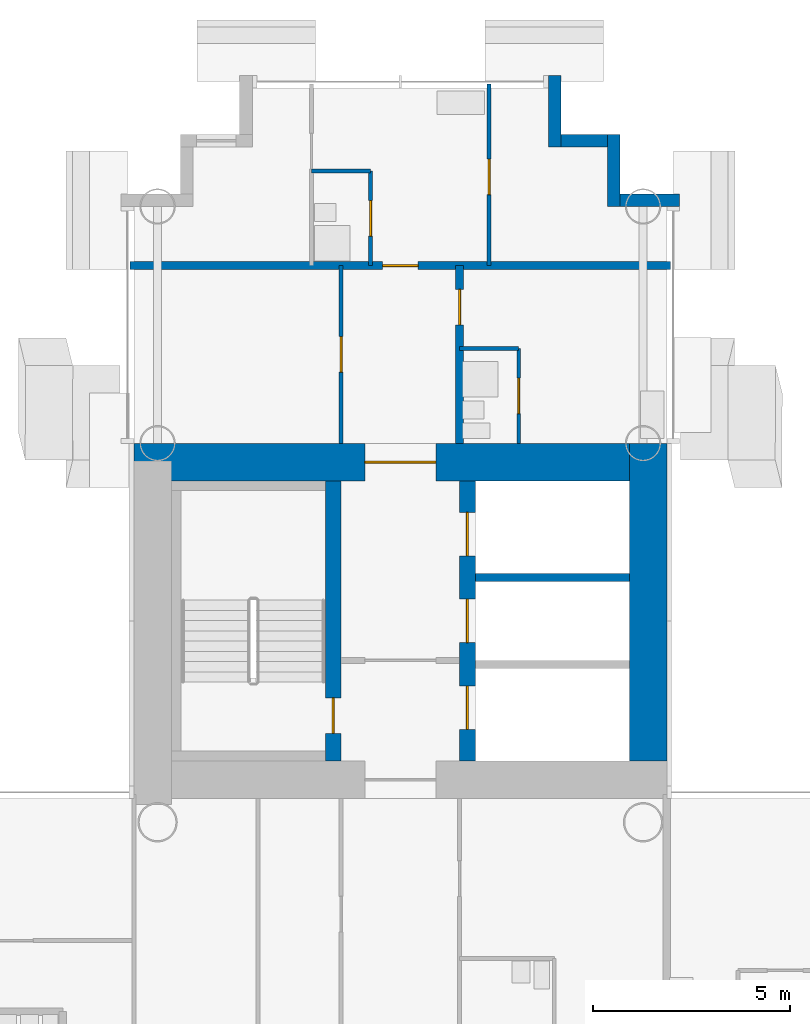
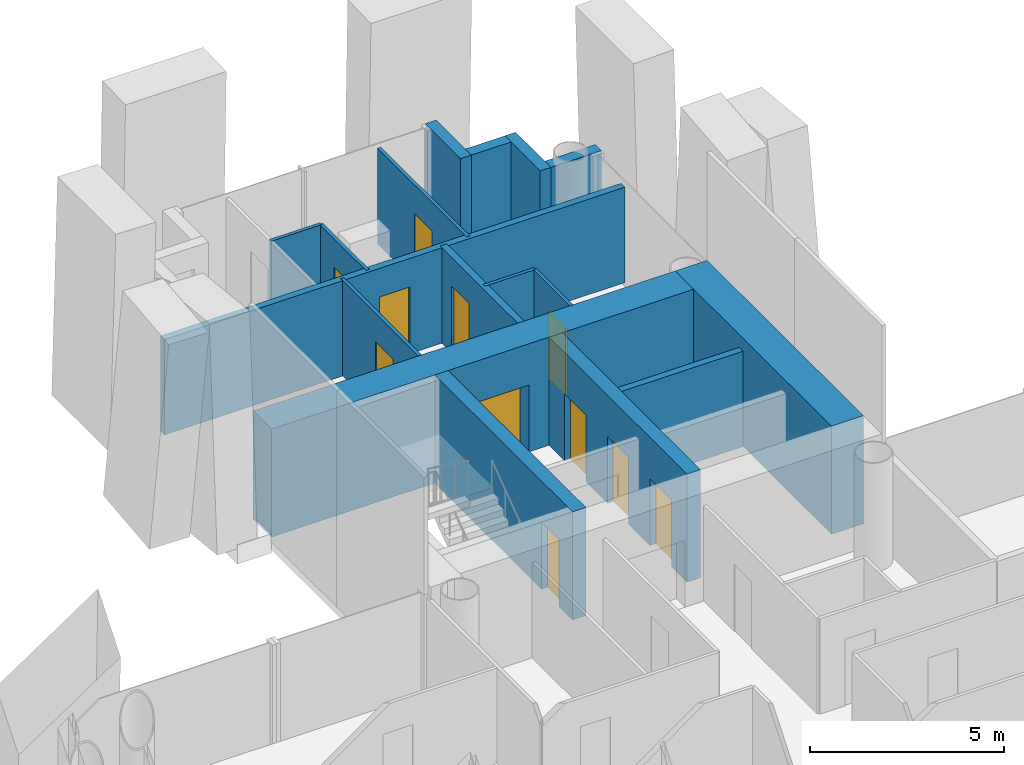
# One storey, part 14 of 21: 17 walls, 11 doors, 11 openings.
"""IFC4 building model written with IfcOpenShell, lengths in metres."""

from ifc_helpers import new_model, si_unit, direction, frame, frame_2d, origin, place, context, subcontext, project, spatial, rectangle, extrude, material, layer, layer_set, type_object, element, fill, save


model = new_model("IFC4")

# Units and contexts
model_context = context("Model", 3, precision=1e-05, world=origin(), true_north=direction((0.0, 1.0)))
body_context = subcontext(model_context, "Body", "Model", "MODEL_VIEW")
ifc_project = project(units=[si_unit("LENGTHUNIT", "METRE"), si_unit("AREAUNIT", "SQUARE_METRE"), si_unit("VOLUMEUNIT", "CUBIC_METRE"), si_unit("PLANEANGLEUNIT", "RADIAN"), si_unit("MASSUNIT", "GRAM", prefix="KILO")], contexts=[model_context])

# Site, building, storey
site_placement = place(None, origin())
site = spatial("IfcSite", under=ifc_project, at=site_placement, CompositionType="ELEMENT")
building_placement = place(site_placement, origin())
building = spatial("IfcBuilding", under=site, at=building_placement, Name="Ipe Terrace Towers", CompositionType="ELEMENT")
storey_placement = place(building_placement, frame((0.0, 0.0, 93.60009765625)))
storey = spatial("IfcBuildingStorey", under=building, at=storey_placement, Name="L25", CompositionType="ELEMENT", Elevation=93.60009765625)

# Walls
ifc_material_1 = material(Name="Concrete C40/50 with buff precast cladding", Category="concrete")
ifc_layer_1 = layer(ifc_material_1, 0.320068359375)
ifc_layer_set_1 = layer_set([ifc_layer_1], Name="BUFF CLADDING WALL 320")
wall_type_1 = type_object("IfcWallType", Name="BUFF CLADDING WALL 320", PredefinedType="STANDARD", material=ifc_layer_set_1)
wall_1_placement = place(storey_placement, frame((43.070068359375, 21.909912109375, -0.300048828125), z_axis=(0.0, 0.0, 1.0), x_axis=(-1.0, 0.0, 0.0)))
element("IfcWall", 1, at=wall_1_placement, inside=storey, type_object=wall_type_1, Name="T2-W-L25-17a wall", PredefinedType="STANDARD", context=body_context, shape_type="SweptSolid", body=[
    extrude(rectangle(XDim=1.5, YDim=0.320068359375, at=frame_2d((0.75, 0.0))), origin(), (0.0, 0.0, 1.0), 3.39990234375),
])
wall_2_placement = place(storey_placement, frame((41.409912109375, 21.75, -0.300048828125), z_axis=(0.0, 0.0, 1.0), x_axis=(0.0, 1.0, 0.0)))
element("IfcWall", 2, at=wall_2_placement, inside=storey, type_object=wall_type_1, Name="T2-W-L25-18a wall", PredefinedType="STANDARD", context=body_context, shape_type="SweptSolid", body=[
    extrude(rectangle(XDim=1.820068359375, YDim=0.320068359375, at=frame_2d((0.91015625, 0.0))), origin(), (0.0, 0.0, 1.0), 3.39990234375),
])
wall_3_placement = place(storey_placement, frame((41.25, 23.409912109375, -0.300048828125), z_axis=(0.0, 0.0, 1.0), x_axis=(-1.0, 0.0, 0.0)))
element("IfcWall", 3, at=wall_3_placement, inside=storey, type_object=wall_type_1, Name="T2-W-L25-19a wall", PredefinedType="STANDARD", context=body_context, shape_type="SweptSolid", body=[
    extrude(rectangle(XDim=1.179931640625, YDim=0.320068359375, at=frame_2d((0.58984375, 0.0))), origin(), (0.0, 0.0, 1.0), 3.39990234375),
])
wall_4_placement = place(storey_placement, frame((39.909912109375, 23.25, -0.300048828125), z_axis=(0.0, 0.0, 1.0), x_axis=(0.0, 1.0, 0.0)))
element("IfcWall", 4, at=wall_4_placement, inside=storey, type_object=wall_type_1, Name="T2-W-L25-20a wall", PredefinedType="STANDARD", context=body_context, shape_type="SweptSolid", body=[
    extrude(rectangle(XDim=1.820068359375, YDim=0.320068359375, at=frame_2d((0.91015625, 0.0))), origin(), (0.0, 0.0, 1.0), 3.39990234375),
])
ifc_material_2 = material(Name="Gypsum board partition", Category="plasterboard")
ifc_layer_2 = layer(ifc_material_2, 0.10009765625)
ifc_layer_set_2 = layer_set([ifc_layer_2], Name="Gypsum board partition 100 mm")
wall_type_2 = type_object("IfcWallType", Name="Gypsum board partition 100 mm", PredefinedType="PARTITIONING", material=ifc_layer_set_2)
for number, where, z_axis, x_axis, name in (
    (5, (39.0, 18.14990234375, 0.0), (0.0, 0.0, 1.0), (-1.0, 0.0, 0.0), "Gypsum board partition T2 L25 W15"),
    (6, (35.25, 22.64990234375, 0.0), (0.0, 0.0, 1.0), (-1.0, 0.0, 0.0), "Gypsum board partition T2 L25 W17"),
):
    element("IfcWall", number, at=place(storey_placement, frame(where, z_axis=z_axis, x_axis=x_axis)), inside=storey, type_object=wall_type_2, Name=name, PredefinedType="PARTITIONING", context=body_context, shape_type="SweptSolid", body=[
        extrude(rectangle(XDim=1.5, YDim=0.10009765625, at=frame_2d((0.75, 0.0))), origin(), (0.0, 0.0, 1.0), 3.0),
    ])

# Wall, opening, door
wall_5_placement = place(storey_placement, frame((39.0, 15.75, 0.0), z_axis=(0.0, 0.0, 1.0), x_axis=(0.0, 1.0, 0.0)))
wall_5 = element("IfcWall", 7, at=wall_5_placement, inside=storey, type_object=wall_type_2, Name="Gypsum board partition T2 L25 W28", PredefinedType="PARTITIONING", context=body_context, shape_type="SweptSolid", body=[
    extrude(rectangle(XDim=2.39990234375, YDim=0.10009765625, at=frame_2d((1.199951171875, 0.0))), origin(), (0.0, 0.0, 1.0), 3.0),
])
opening_1_placement = place(wall_5_placement, frame((0.75, 0.0, 0.0)))
opening_1 = element("IfcOpeningElement", 8, at=opening_1_placement, cuts=wall_5, Name="Opening T2-Z2C-20", PredefinedType="OPENING", context=body_context, shape_type="SweptSolid", body=[
    extrude(rectangle(XDim=0.89990234375, YDim=2.10009765625, at=frame_2d((0.449951171875, 1.050048828125))), frame((0.0, 0.06005859375, 0.0), z_axis=(0.0, -1.0, 0.0), x_axis=(1.0, 0.0, 0.0)), (0.0, 0.0, 1.0), 0.1201171875),
])
ifc_material_3 = material(Name="Timber door leaf", Category="wood")
door_type_1 = type_object("IfcDoorType", Name="Bathroom door 900 x 2100", OperationType="NOTDEFINED", PredefinedType="DOOR", material=ifc_material_3)
door_1_placement = place(opening_1_placement, origin())
door_1 = element("IfcDoor", 9, at=door_1_placement, inside=storey, type_object=door_type_1, Name="Bathroom door T2-Z2C-20", OperationType="SINGLE_SWING_LEFT", OverallHeight=2.10009765625, OverallWidth=0.89990234375, PredefinedType="DOOR", context=body_context, shape_type="SweptSolid", body=[
    extrude(rectangle(XDim=0.89990234375, YDim=2.10009765625, at=frame_2d((0.449951171875, 1.050048828125))), frame((0.0, 0.02490234375, 0.0), z_axis=(0.0, -1.0, 0.0), x_axis=(1.0, 0.0, 0.0)), (0.0, 0.0, 1.0), 0.050048828125),
])
fill(opening_1, door_1)

wall_6_placement = place(storey_placement, frame((38.25, 20.25, 0.0), z_axis=(0.0, 0.0, 1.0), x_axis=(0.0, 1.0, 0.0)))
wall_6 = element("IfcWall", 10, at=wall_6_placement, inside=storey, type_object=wall_type_2, Name="Gypsum board partition T2 L25 W29", PredefinedType="PARTITIONING", context=body_context, shape_type="SweptSolid", body=[
    extrude(rectangle(XDim=4.60009765625, YDim=0.10009765625, at=frame_2d((2.300048828125, 0.0))), origin(), (0.0, 0.0, 1.0), 3.0),
])
opening_2_placement = place(wall_6_placement, frame((1.800048828125, 0.0, 0.0)))
opening_2 = element("IfcOpeningElement", 11, at=opening_2_placement, cuts=wall_6, Name="Opening T2-Z2C-24", PredefinedType="OPENING", context=body_context, shape_type="SweptSolid", body=[
    extrude(rectangle(XDim=0.89990234375, YDim=2.10009765625, at=frame_2d((0.449951171875, 1.050048828125))), frame((0.0, 0.06005859375, 0.0), z_axis=(0.0, -1.0, 0.0), x_axis=(1.0, 0.0, 0.0)), (0.0, 0.0, 1.0), 0.1201171875),
])
ifc_material_4 = material(Name="Timber door leaf", Category="wood")
door_type_2 = type_object("IfcDoorType", Name="Lounge door 900 x 2100", OperationType="NOTDEFINED", PredefinedType="DOOR", material=ifc_material_4)
door_2_placement = place(opening_2_placement, origin())
door_2 = element("IfcDoor", 12, at=door_2_placement, inside=storey, type_object=door_type_2, Name="Lounge door T2-Z2C-24", OperationType="SINGLE_SWING_LEFT", OverallHeight=2.10009765625, OverallWidth=0.89990234375, PredefinedType="DOOR", context=body_context, shape_type="SweptSolid", body=[
    extrude(rectangle(XDim=0.89990234375, YDim=2.10009765625, at=frame_2d((0.449951171875, 1.050048828125))), frame((0.0, 0.02490234375, 0.0), z_axis=(0.0, -1.0, 0.0), x_axis=(1.0, 0.0, 0.0)), (0.0, 0.0, 1.0), 0.050048828125),
])
fill(opening_2, door_2)

wall_7_placement = place(storey_placement, frame((35.25, 20.25, 0.0), z_axis=(0.0, 0.0, 1.0), x_axis=(0.0, 1.0, 0.0)))
wall_7 = element("IfcWall", 13, at=wall_7_placement, inside=storey, type_object=wall_type_2, Name="Gypsum board partition T2 L25 W33", PredefinedType="PARTITIONING", context=body_context, shape_type="SweptSolid", body=[
    extrude(rectangle(XDim=2.39990234375, YDim=0.10009765625, at=frame_2d((1.199951171875, 0.0))), origin(), (0.0, 0.0, 1.0), 3.0),
])
opening_3_placement = place(wall_7_placement, frame((0.75, 0.0, 0.0)))
opening_3 = element("IfcOpeningElement", 14, at=opening_3_placement, cuts=wall_7, Name="Opening T2-Z2C-21", PredefinedType="OPENING", context=body_context, shape_type="SweptSolid", body=[
    extrude(rectangle(XDim=0.89990234375, YDim=2.10009765625, at=frame_2d((0.449951171875, 1.050048828125))), frame((0.0, 0.06005859375, 0.0), z_axis=(0.0, -1.0, 0.0), x_axis=(1.0, 0.0, 0.0)), (0.0, 0.0, 1.0), 0.1201171875),
])
door_3_placement = place(opening_3_placement, origin())
door_3 = element("IfcDoor", 15, at=door_3_placement, inside=storey, type_object=door_type_1, Name="Bathroom door T2-Z2C-21", OperationType="SINGLE_SWING_LEFT", OverallHeight=2.10009765625, OverallWidth=0.89990234375, PredefinedType="DOOR", context=body_context, shape_type="SweptSolid", body=[
    extrude(rectangle(XDim=0.89990234375, YDim=2.10009765625, at=frame_2d((0.449951171875, 1.050048828125))), frame((0.0, 0.02490234375, 0.0), z_axis=(0.0, -1.0, 0.0), x_axis=(1.0, 0.0, 0.0)), (0.0, 0.0, 1.0), 0.050048828125),
])
fill(opening_3, door_3)

wall_8_placement = place(storey_placement, frame((34.5, 15.75, 0.0), z_axis=(0.0, 0.0, 1.0), x_axis=(0.0, 1.0, 0.0)))
wall_8 = element("IfcWall", 16, at=wall_8_placement, inside=storey, type_object=wall_type_2, Name="Gypsum board partition T2 L25 W36", PredefinedType="PARTITIONING", context=body_context, shape_type="SweptSolid", body=[
    extrude(rectangle(XDim=4.5, YDim=0.10009765625, at=frame_2d((2.25, 0.0))), origin(), (0.0, 0.0, 1.0), 3.0),
])
opening_4_placement = place(wall_8_placement, frame((1.800048828125, 0.0, 0.0)))
opening_4 = element("IfcOpeningElement", 17, at=opening_4_placement, cuts=wall_8, Name="Opening T2-Z2C-18", PredefinedType="OPENING", context=body_context, shape_type="SweptSolid", body=[
    extrude(rectangle(XDim=0.89990234375, YDim=2.10009765625, at=frame_2d((0.449951171875, 1.050048828125))), frame((0.0, 0.06005859375, 0.0), z_axis=(0.0, -1.0, 0.0), x_axis=(1.0, 0.0, 0.0)), (0.0, 0.0, 1.0), 0.1201171875),
])
door_4_placement = place(opening_4_placement, origin())
door_4 = element("IfcDoor", 18, at=door_4_placement, inside=storey, type_object=door_type_2, Name="Lounge door T2-Z2C-18", OperationType="SINGLE_SWING_LEFT", OverallHeight=2.10009765625, OverallWidth=0.89990234375, PredefinedType="DOOR", context=body_context, shape_type="SweptSolid", body=[
    extrude(rectangle(XDim=0.89990234375, YDim=2.10009765625, at=frame_2d((0.449951171875, 1.050048828125))), frame((0.0, 0.02490234375, 0.0), z_axis=(0.0, -1.0, 0.0), x_axis=(1.0, 0.0, 0.0)), (0.0, 0.0, 1.0), 0.050048828125),
])
fill(opening_4, door_4)

# Wall
ifc_material_5 = material(Name="Gypsum board party wall", Category="plasterboard")
ifc_layer_3 = layer(ifc_material_5, 0.199951171875)
ifc_layer_set_3 = layer_set([ifc_layer_3], Name="Gypsum board party wall 200 mm")
wall_type_3 = type_object("IfcWallType", Name="Gypsum board party wall 200 mm", PredefinedType="SOLIDWALL", material=ifc_layer_set_3)
wall_9_placement = place(storey_placement, frame((41.800048828125, 12.35009765625, 0.0), z_axis=(0.0, 0.0, 1.0), x_axis=(-1.0, 0.0, 0.0)))
element("IfcWall", 19, at=wall_9_placement, inside=storey, type_object=wall_type_3, Name="Gypsum board party wall T2 L25 t2c1-shaft-div2", PredefinedType="SOLIDWALL", context=body_context, shape_type="SweptSolid", body=[
    extrude(rectangle(XDim=3.900146484375, YDim=0.199951171875, at=frame_2d((1.9501953125, 0.0))), origin(), (0.0, 0.0, 1.0), 3.0),
])

# Wall, opening, door
wall_10_placement = place(storey_placement, frame((42.85009765625, 20.25, 0.0), z_axis=(0.0, 0.0, 1.0), x_axis=(-1.0, 0.0, 0.0)))
wall_10 = element("IfcWall", 20, at=wall_10_placement, inside=storey, type_object=wall_type_3, Name="Gypsum board party wall T2 L25 W16", PredefinedType="SOLIDWALL", context=body_context, shape_type="SweptSolid", body=[
    extrude(rectangle(XDim=13.7001953125, YDim=0.199951171875, at=frame_2d((6.85009765625, 0.0))), origin(), (0.0, 0.0, 1.0), 3.0),
])
opening_5_placement = place(wall_10_placement, frame((6.39990234375, 0.0, 0.0)))
opening_5 = element("IfcOpeningElement", 21, at=opening_5_placement, cuts=wall_10, Name="Opening T2-Z2C-22", PredefinedType="OPENING", context=body_context, shape_type="SweptSolid", body=[
    extrude(rectangle(XDim=0.89990234375, YDim=2.10009765625, at=frame_2d((0.449951171875, 1.050048828125))), frame((0.0, 0.10986328125, 0.0), z_axis=(0.0, -1.0, 0.0), x_axis=(1.0, 0.0, 0.0)), (0.0, 0.0, 1.0), 0.219970703125),
])
ifc_material_6 = material(Name="Fire-rated timber door leaf", Category="wood")
door_type_3 = type_object("IfcDoorType", Name="Flat entrance door 900 x 2100 FD30S", OperationType="NOTDEFINED", PredefinedType="DOOR", material=ifc_material_6)
door_5_placement = place(opening_5_placement, origin())
door_5 = element("IfcDoor", 22, at=door_5_placement, inside=storey, type_object=door_type_3, Name="Flat entrance door T2-Z2C-22", OperationType="SINGLE_SWING_RIGHT", OverallHeight=2.10009765625, OverallWidth=0.89990234375, PredefinedType="DOOR", context=body_context, shape_type="SweptSolid", body=[
    extrude(rectangle(XDim=0.89990234375, YDim=2.10009765625, at=frame_2d((0.449951171875, 1.050048828125))), frame((0.0, 0.02490234375, 0.0), z_axis=(0.0, -1.0, 0.0), x_axis=(1.0, 0.0, 0.0)), (0.0, 0.0, 1.0), 0.050048828125),
])
fill(opening_5, door_5)

wall_11_placement = place(storey_placement, frame((37.5, 15.75, 0.0), z_axis=(0.0, 0.0, 1.0), x_axis=(0.0, 1.0, 0.0)))
wall_11 = element("IfcWall", 23, at=wall_11_placement, inside=storey, type_object=wall_type_3, Name="Gypsum board party wall T2 L25 W32", PredefinedType="SOLIDWALL", context=body_context, shape_type="SweptSolid", body=[
    extrude(rectangle(XDim=4.5, YDim=0.199951171875, at=frame_2d((2.25, 0.0))), origin(), (0.0, 0.0, 1.0), 3.0),
])
opening_6_placement = place(wall_11_placement, frame((3.0, 0.0, 0.0)))
opening_6 = element("IfcOpeningElement", 24, at=opening_6_placement, cuts=wall_11, Name="Opening T2-Z2C-19", PredefinedType="OPENING", context=body_context, shape_type="SweptSolid", body=[
    extrude(rectangle(XDim=0.89990234375, YDim=2.10009765625, at=frame_2d((0.449951171875, 1.050048828125))), frame((0.0, 0.10986328125, 0.0), z_axis=(0.0, -1.0, 0.0), x_axis=(1.0, 0.0, 0.0)), (0.0, 0.0, 1.0), 0.219970703125),
])
door_6_placement = place(opening_6_placement, origin())
door_6 = element("IfcDoor", 25, at=door_6_placement, inside=storey, type_object=door_type_3, Name="Flat entrance door T2-Z2C-19", OperationType="SINGLE_SWING_RIGHT", OverallHeight=2.10009765625, OverallWidth=0.89990234375, PredefinedType="DOOR", context=body_context, shape_type="SweptSolid", body=[
    extrude(rectangle(XDim=0.89990234375, YDim=2.10009765625, at=frame_2d((0.449951171875, 1.050048828125))), frame((0.0, 0.02490234375, 0.0), z_axis=(0.0, -1.0, 0.0), x_axis=(1.0, 0.0, 0.0)), (0.0, 0.0, 1.0), 0.050048828125),
])
fill(opening_6, door_6)

ifc_material_7 = material(Name="Concrete C50/60", Category="concrete")
ifc_layer_4 = layer(ifc_material_7, 0.39990234375)
ifc_layer_set_4 = layer_set([ifc_layer_4], Name="RW400 CORE SPINE WALL 400 C50-60")
wall_type_4 = type_object("IfcWallType", Name="RW400 CORE SPINE WALL 400 C50-60", PredefinedType="SHEAR", material=ifc_layer_set_4)
wall_12_placement = place(storey_placement, frame((34.300048828125, 7.699951171875, 0.0), z_axis=(0.0, 0.0, 1.0), x_axis=(0.0, 1.0, 0.0)))
wall_12 = element("IfcWall", 26, at=wall_12_placement, inside=storey, type_object=wall_type_4, Name="Core spine wall T2-C1-Z2-SW1", PredefinedType="SHEAR", context=body_context, shape_type="SweptSolid", body=[
    extrude(rectangle(XDim=7.10009765625, YDim=0.39990234375, at=frame_2d((3.550048828125, 0.0))), origin(), (0.0, 0.0, 1.0), 3.39990234375),
])
opening_7_placement = place(wall_12_placement, frame((0.699951171875, 0.0, 0.0)))
opening_7 = element("IfcOpeningElement", 27, at=opening_7_placement, cuts=wall_12, Name="Opening T2C1-SD", PredefinedType="OPENING", context=body_context, shape_type="SweptSolid", body=[
    extrude(rectangle(XDim=0.89990234375, YDim=2.10009765625, at=frame_2d((0.449951171875, 1.050048828125))), frame((0.0, 0.2099609375, 0.0), z_axis=(0.0, -1.0, 0.0), x_axis=(1.0, 0.0, 0.0)), (0.0, 0.0, 1.0), 0.419921875),
])
ifc_material_8 = material(Name="Fire-rated timber door leaf", Category="wood")
door_type_4 = type_object("IfcDoorType", Name="Stair door 900 x 2100 FD60", OperationType="NOTDEFINED", PredefinedType="DOOR", material=ifc_material_8)
door_7_placement = place(opening_7_placement, origin())
door_7 = element("IfcDoor", 28, at=door_7_placement, inside=storey, type_object=door_type_4, Name="Stair door T2C1-SD", OperationType="SINGLE_SWING_LEFT", OverallHeight=2.10009765625, OverallWidth=0.89990234375, PredefinedType="DOOR", context=body_context, shape_type="SweptSolid", body=[
    extrude(rectangle(XDim=0.89990234375, YDim=2.10009765625, at=frame_2d((0.449951171875, 1.050048828125))), frame((0.0, 0.02490234375, 0.0), z_axis=(0.0, -1.0, 0.0), x_axis=(1.0, 0.0, 0.0)), (0.0, 0.0, 1.0), 0.050048828125),
])
fill(opening_7, door_7)

# Wall, openings, doors
wall_13_placement = place(storey_placement, frame((37.699951171875, 7.699951171875, 0.0), z_axis=(0.0, 0.0, 1.0), x_axis=(0.0, 1.0, 0.0)))
wall_13 = element("IfcWall", 29, at=wall_13_placement, inside=storey, type_object=wall_type_4, Name="Core spine wall T2-C1-Z2-SW2", PredefinedType="SHEAR", context=body_context, shape_type="SweptSolid", body=[
    extrude(rectangle(XDim=7.10009765625, YDim=0.39990234375, at=frame_2d((3.550048828125, 0.0))), origin(), (0.0, 0.0, 1.0), 3.39990234375),
])
opening_8_placement = place(wall_13_placement, frame((0.800048828125, 0.0, 0.0)))
opening_8 = element("IfcOpeningElement", 30, at=opening_8_placement, cuts=wall_13, Name="Opening T2C1-LD1", PredefinedType="OPENING", context=body_context, shape_type="SweptSolid", body=[
    extrude(rectangle(XDim=1.10009765625, YDim=2.10009765625, at=frame_2d((0.550048828125, 1.050048828125))), frame((0.0, 0.2099609375, 0.0), z_axis=(0.0, -1.0, 0.0), x_axis=(1.0, 0.0, 0.0)), (0.0, 0.0, 1.0), 0.419921875),
])
opening_9_placement = place(wall_13_placement, frame((3.0, 0.0, 0.0)))
opening_9 = element("IfcOpeningElement", 31, at=opening_9_placement, cuts=wall_13, Name="Opening T2C1-LD2", PredefinedType="OPENING", context=body_context, shape_type="SweptSolid", body=[
    extrude(rectangle(XDim=1.10009765625, YDim=2.10009765625, at=frame_2d((0.550048828125, 1.050048828125))), frame((0.0, 0.2099609375, 0.0), z_axis=(0.0, -1.0, 0.0), x_axis=(1.0, 0.0, 0.0)), (0.0, 0.0, 1.0), 0.419921875),
])
opening_10_placement = place(wall_13_placement, frame((5.199951171875, 0.0, 0.0)))
opening_10 = element("IfcOpeningElement", 32, at=opening_10_placement, cuts=wall_13, Name="Opening T2C1-LD3", PredefinedType="OPENING", context=body_context, shape_type="SweptSolid", body=[
    extrude(rectangle(XDim=1.10009765625, YDim=2.10009765625, at=frame_2d((0.550048828125, 1.050048828125))), frame((0.0, 0.2099609375, 0.0), z_axis=(0.0, -1.0, 0.0), x_axis=(1.0, 0.0, 0.0)), (0.0, 0.0, 1.0), 0.419921875),
])
ifc_material_9 = material(Name="Fire-rated timber door leaf", Category="wood")
door_type_5 = type_object("IfcDoorType", Name="Sliding door 1100 x 2100 FD60", OperationType="SLIDING_TO_LEFT", PredefinedType="DOOR", material=ifc_material_9)
door_8_placement = place(opening_8_placement, origin())
door_8 = element("IfcDoor", 33, at=door_8_placement, inside=storey, type_object=door_type_5, Name="Sliding door T2C1-LD1", OperationType="SLIDING_TO_LEFT", OverallHeight=2.10009765625, OverallWidth=1.10009765625, PredefinedType="DOOR", context=body_context, shape_type="SweptSolid", body=[
    extrude(rectangle(XDim=1.10009765625, YDim=2.10009765625, at=frame_2d((0.550048828125, 1.050048828125))), frame((0.0, 0.02490234375, 0.0), z_axis=(0.0, -1.0, 0.0), x_axis=(1.0, 0.0, 0.0)), (0.0, 0.0, 1.0), 0.050048828125),
])
fill(opening_8, door_8)
door_9_placement = place(opening_9_placement, origin())
door_9 = element("IfcDoor", 34, at=door_9_placement, inside=storey, type_object=door_type_5, Name="Sliding door T2C1-LD2", OperationType="SLIDING_TO_LEFT", OverallHeight=2.10009765625, OverallWidth=1.10009765625, PredefinedType="DOOR", context=body_context, shape_type="SweptSolid", body=[
    extrude(rectangle(XDim=1.10009765625, YDim=2.10009765625, at=frame_2d((0.550048828125, 1.050048828125))), frame((0.0, 0.02490234375, 0.0), z_axis=(0.0, -1.0, 0.0), x_axis=(1.0, 0.0, 0.0)), (0.0, 0.0, 1.0), 0.050048828125),
])
fill(opening_9, door_9)
door_10_placement = place(opening_10_placement, origin())
door_10 = element("IfcDoor", 35, at=door_10_placement, inside=storey, type_object=door_type_5, Name="Sliding door T2C1-LD3", OperationType="SLIDING_TO_LEFT", OverallHeight=2.10009765625, OverallWidth=1.10009765625, PredefinedType="DOOR", context=body_context, shape_type="SweptSolid", body=[
    extrude(rectangle(XDim=1.10009765625, YDim=2.10009765625, at=frame_2d((0.550048828125, 1.050048828125))), frame((0.0, 0.02490234375, 0.0), z_axis=(0.0, -1.0, 0.0), x_axis=(1.0, 0.0, 0.0)), (0.0, 0.0, 1.0), 0.050048828125),
])
fill(opening_10, door_10)

# Wall
ifc_material_10 = material(Name="Concrete C50/60", Category="concrete")
ifc_layer_5 = layer(ifc_material_10, 0.949951171875)
ifc_layer_set_5 = layer_set([ifc_layer_5], Name="RW950 CORE WALL 950 C50-60")
wall_type_5 = type_object("IfcWallType", Name="RW950 CORE WALL 950 C50-60", PredefinedType="SHEAR", material=ifc_layer_set_5)
wall_14_placement = place(storey_placement, frame((42.27490234375, 7.699951171875, 0.0), z_axis=(0.0, 0.0, 1.0), x_axis=(0.0, 1.0, 0.0)))
element("IfcWall", 36, at=wall_14_placement, inside=storey, type_object=wall_type_5, Name="Core wall T2-C1-Z2-W02", PredefinedType="SHEAR", context=body_context, shape_type="SweptSolid", body=[
    extrude(rectangle(XDim=8.050048828125, YDim=0.949951171875, at=frame_2d((4.02490234375, 0.0))), origin(), (0.0, 0.0, 1.0), 3.39990234375),
])

# Wall, opening, door
wall_15_placement = place(storey_placement, frame((41.800048828125, 15.27490234375, 0.0), z_axis=(0.0, 0.0, 1.0), x_axis=(-1.0, 0.0, 0.0)))
wall_15 = element("IfcWall", 37, at=wall_15_placement, inside=storey, type_object=wall_type_5, Name="Core wall T2-C1-Z2-W03", PredefinedType="SHEAR", context=body_context, shape_type="SweptSolid", body=[
    extrude(rectangle(XDim=12.550048828125, YDim=0.949951171875, at=frame_2d((6.27490234375, 0.0))), origin(), (0.0, 0.0, 1.0), 3.39990234375),
])
opening_11_placement = place(wall_15_placement, frame((4.89990234375, 0.0, 0.0)))
opening_11 = element("IfcOpeningElement", 38, at=opening_11_placement, cuts=wall_15, Name="Opening T2C1-FD", PredefinedType="OPENING", context=body_context, shape_type="SweptSolid", body=[
    extrude(rectangle(XDim=1.800048828125, YDim=2.10009765625, at=frame_2d((0.89990234375, 1.050048828125))), frame((0.0, 0.48486328125, 0.0), z_axis=(0.0, -1.0, 0.0), x_axis=(1.0, 0.0, 0.0)), (0.0, 0.0, 1.0), 0.969970703125),
])
ifc_material_11 = material(Name="Fire-rated timber door leaf", Category="wood")
door_type_6 = type_object("IfcDoorType", Name="Fire door 1800 x 2100 FD30S", OperationType="NOTDEFINED", PredefinedType="DOOR", material=ifc_material_11)
door_11_placement = place(opening_11_placement, origin())
door_11 = element("IfcDoor", 39, at=door_11_placement, inside=storey, type_object=door_type_6, Name="Fire door T2C1-FD", OperationType="SINGLE_SWING_LEFT", OverallHeight=2.10009765625, OverallWidth=1.800048828125, PredefinedType="DOOR", context=body_context, shape_type="SweptSolid", body=[
    extrude(rectangle(XDim=1.800048828125, YDim=2.10009765625, at=frame_2d((0.89990234375, 1.050048828125))), frame((0.0, 0.02490234375, 0.0), z_axis=(0.0, -1.0, 0.0), x_axis=(1.0, 0.0, 0.0)), (0.0, 0.0, 1.0), 0.050048828125),
])
fill(opening_11, door_11)

save(model, "model.ifc")
